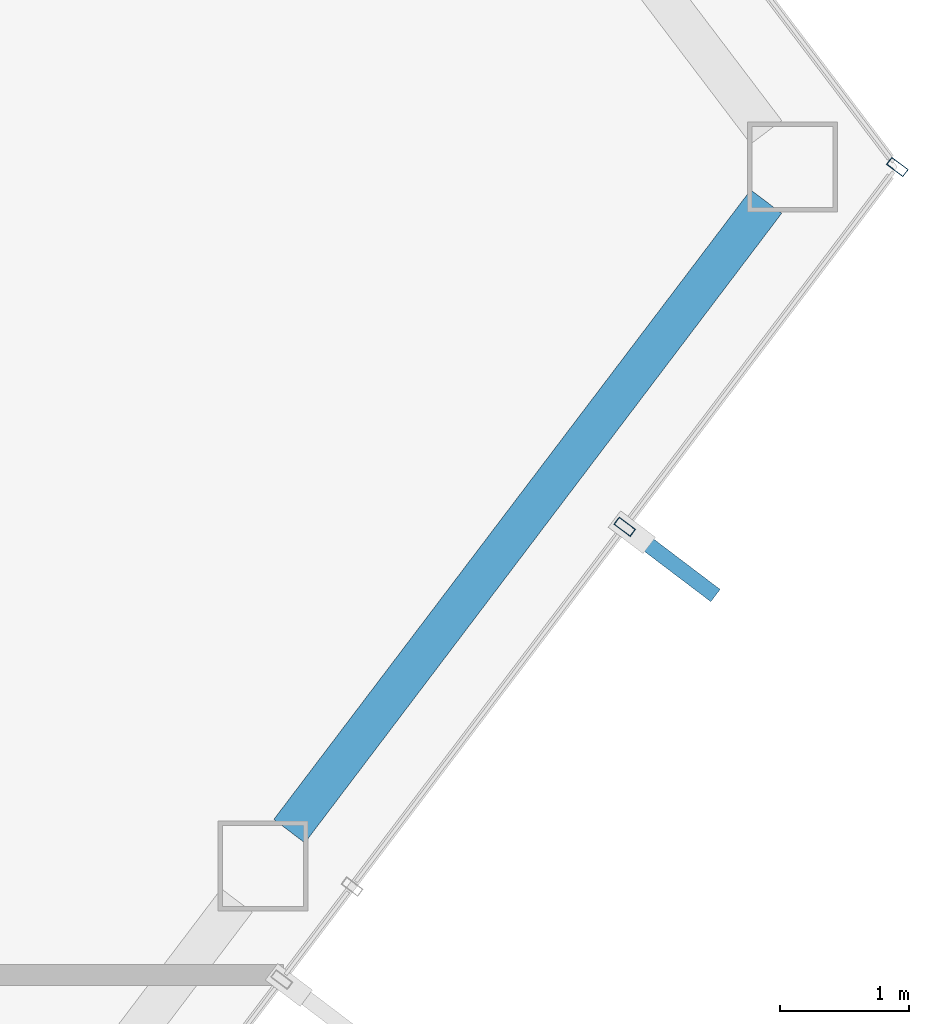
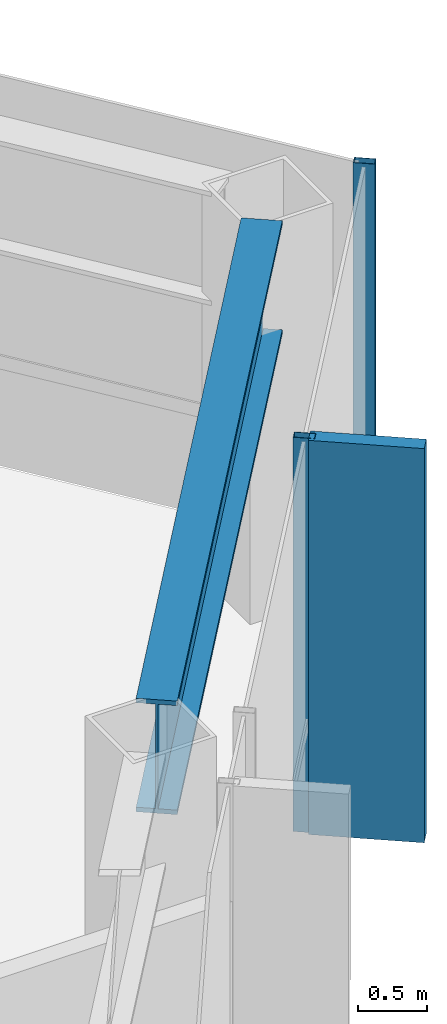
# One storey, part 21 of 28: 3 members, 1 beam, 1 element without a shape of its own.
"""IFC4 building model written with IfcOpenShell, lengths in metres."""

from ifc_helpers import new_model, si_unit, direction, frame, origin, origin_2d, place, context, subcontext, project, spatial, rectangle, hollow_rectangle, i_section, extrude, material, layer, layer_set, material_profile, profile_set, type_object, element, aggregate, save


model = new_model("IFC4")

# Units and contexts
model_context = context("Model", 3, precision=1e-05, world=origin(), true_north=direction((0.0, 1.0)))
body_context = subcontext(model_context, "Body", "Model", "MODEL_VIEW")
ifc_project = project(units=[si_unit("LENGTHUNIT", "METRE"), si_unit("AREAUNIT", "SQUARE_METRE"), si_unit("VOLUMEUNIT", "CUBIC_METRE"), si_unit("PLANEANGLEUNIT", "RADIAN"), si_unit("MASSUNIT", "GRAM", prefix="KILO")], contexts=[model_context])

# Site, building, storey
site_placement = place(None, origin())
site = spatial("IfcSite", under=ifc_project, at=site_placement, CompositionType="ELEMENT")
building_placement = place(site_placement, origin())
building = spatial("IfcBuilding", under=site, at=building_placement, Name="Zarrinselat Tower", CompositionType="ELEMENT")
storey_placement = place(building_placement, frame((0.0, 0.0, 168.300048828125)))
storey = spatial("IfcBuildingStorey", under=building, at=storey_placement, Name="L41", CompositionType="ELEMENT", Elevation=168.300048828125)

# Beam
ifc_material_1 = material(Name="Steel S460M", Category="steel")
ifc_material_profile_1 = material_profile(ifc_material_1, i_section(OverallWidth=0.302001953125, OverallDepth=1.008056640625, WebThickness=0.02099609375, FlangeThickness=0.0400390625, at=origin_2d()), Name="HEM 1000")
ifc_profile_set_1 = profile_set([ifc_material_profile_1], Name="Steel S460M")
beam_type = type_object("IfcBeamType", Name="BM-HEM1000", PredefinedType="BEAM", material=ifc_profile_set_1)
beam_placement = place(storey_placement, frame((58.290283203125, 34.87060546875, 2.995849609375), z_axis=(0.603867640738, 0.7970846081, 0.0), x_axis=(-0.7970846081, 0.603867640738, 0.0)))
element("IfcBeam", 1, at=beam_placement, inside=storey, type_object=beam_type, Name="L41 Perimeter Spandrel Girder SP14", PredefinedType="BEAM", context=body_context, shape_type="SweptSolid", body=[
    extrude(i_section(OverallWidth=0.302001953125, OverallDepth=1.008056640625, WebThickness=0.02099609375, FlangeThickness=0.0400390625, at=origin_2d()), origin(), (0.0, 0.0, 1.0), 6.1396484375),
])

# Curtain wall, members
ifc_material_2 = material(Name="Extruded Aluminium Alloy EN AW-6063 T6", Category="aluminium")
ifc_layer = layer(ifc_material_2, 0.175048828125)
ifc_layer_set = layer_set([ifc_layer], Name="Extruded Aluminium Alloy EN AW-6063 T6")
curtain_wall_type = type_object("IfcCurtainWallType", Name="CWS-HTL", PredefinedType="NOTDEFINED", material=ifc_layer_set)
curtain_wall_placement = place(storey_placement, origin())
curtain_wall = element("IfcCurtainWall", 2, at=curtain_wall_placement, inside=storey, type_object=curtain_wall_type, Name="L41 Unitised Curtain Wall CW-L41-E05", PredefinedType="NOTDEFINED")
ifc_material_3 = material(Name="Extruded Aluminium Alloy EN AW-6063 T6", Category="aluminium")
ifc_material_profile_2 = material_profile(ifc_material_3, hollow_rectangle(XDim=0.070068359375, YDim=0.159912109375, WallThickness=0.00390625, at=origin_2d()), Name="RHS 160x70x4")
ifc_profile_set_2 = profile_set([ifc_material_profile_2], Name="Extruded Aluminium Alloy EN AW-6063 T6")
member_type_1 = type_object("IfcMemberType", Name="MEM-CW-MUL2", PredefinedType="MULLION", material=ifc_profile_set_2)
member_1_placement = place(storey_placement, frame((60.89794921875, 37.236083984375, 0.0), z_axis=(0.0, 0.0, 1.0), x_axis=(0.603858853713, 0.797091265033, 0.0)))
member_1 = element("IfcMember", 3, at=member_1_placement, type_object=member_type_1, Name="CW-L41-E05 Mullion 9", PredefinedType="MULLION", context=body_context, shape_type="SweptSolid", body=[
    extrude(hollow_rectangle(XDim=0.070068359375, YDim=0.159912109375, WallThickness=0.00390625, at=origin_2d()), origin(), (0.0, 0.0, 1.0), 3.5),
])
member_2_placement = place(storey_placement, frame((63.017333984375, 40.03369140625, 0.0), z_axis=(0.0, 0.0, 1.0), x_axis=(0.603858853713, 0.797091265033, 0.0)))
member_2 = element("IfcMember", 4, at=member_2_placement, type_object=member_type_1, Name="CW-L41-E05 Mullion 10", PredefinedType="MULLION", context=body_context, shape_type="SweptSolid", body=[
    extrude(hollow_rectangle(XDim=0.070068359375, YDim=0.159912109375, WallThickness=0.00390625, at=origin_2d()), origin(), (0.0, 0.0, 1.0), 3.5),
])
ifc_material_4 = material(Name="Honed Cream Travertine Stone", Category="masonry")
ifc_material_profile_3 = material_profile(ifc_material_4, rectangle(XDim=0.1201171875, YDim=0.85009765625, at=origin_2d()), Name="FIN 850x120")
ifc_profile_set_3 = profile_set([ifc_material_profile_3], Name="Honed Cream Travertine Stone")
member_type_2 = type_object("IfcMemberType", Name="MEM-STONE-FIN", PredefinedType="USERDEFINED", material=ifc_profile_set_3)
member_3_placement = place(storey_placement, frame((61.2646484375, 36.95849609375, 0.0), z_axis=(0.0, 0.0, 1.0), x_axis=(-0.603858853713, -0.797091265033, 0.0)))
member_3 = element("IfcMember", 5, at=member_3_placement, type_object=member_type_2, Name="L41 Stone Shading Fin CW-L41-E05-09", ObjectType="FIN", PredefinedType="USERDEFINED", context=body_context, shape_type="SweptSolid", body=[
    extrude(rectangle(XDim=0.1201171875, YDim=0.85009765625, at=origin_2d()), origin(), (0.0, 0.0, 1.0), 3.5),
])
aggregate(curtain_wall, [member_1, member_3, member_2])

save(model, "model.ifc")
